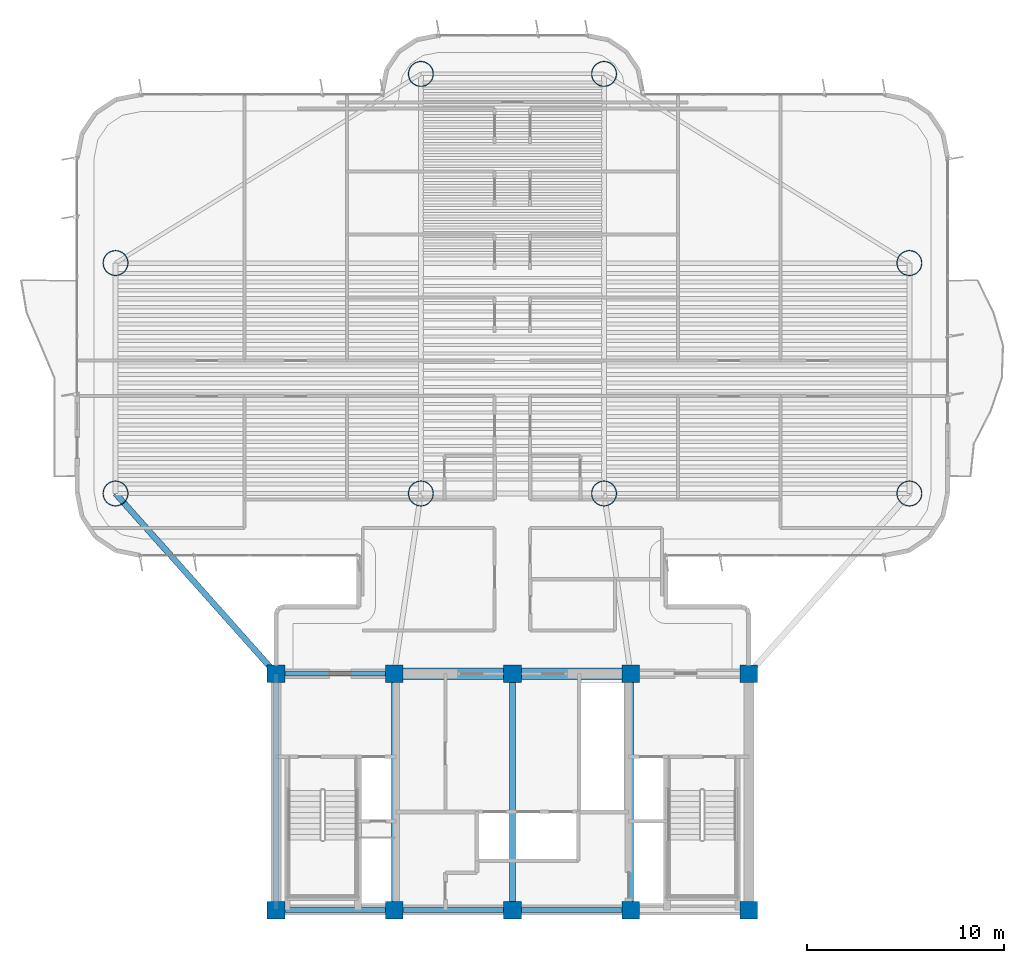
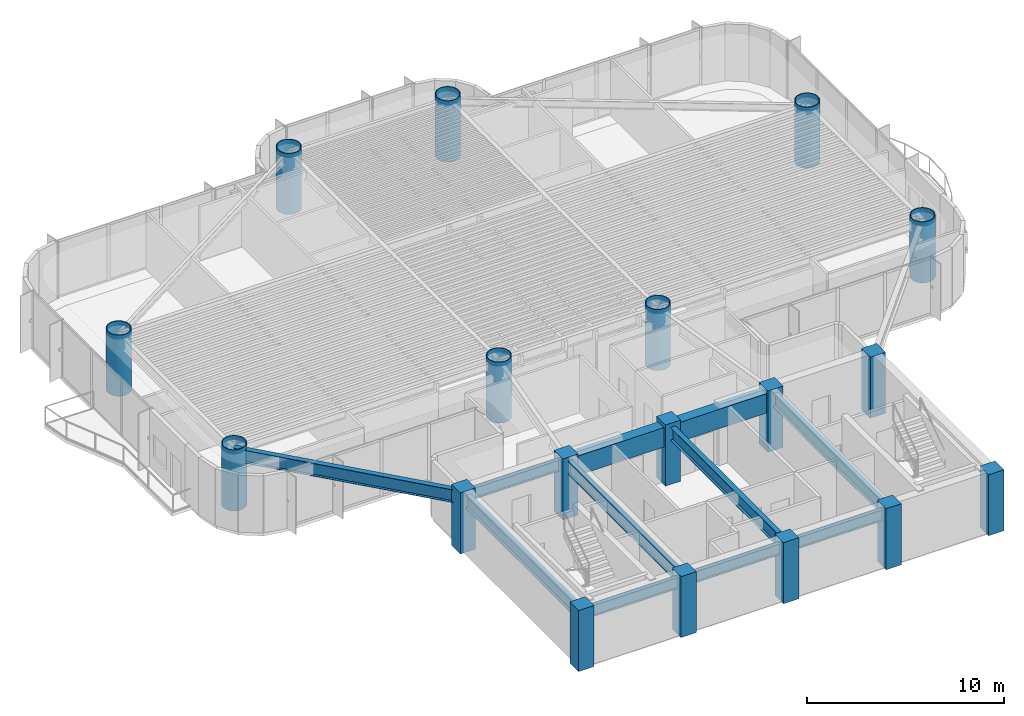
# One storey, part 1 of 16: 18 columns, 10 beams.
"""IFC4 building model written with IfcOpenShell, lengths in metres."""

from ifc_helpers import new_model, si_unit, direction, frame, origin, origin_2d, place, context, subcontext, project, spatial, rectangle, hollow_circle, i_section, extrude, source, transform, mapped, material, material_profile, profile_set, type_object, element, save


model = new_model("IFC4")

# Units and contexts
model_context = context("Model", 3, precision=1e-05, world=origin(), true_north=direction((0.0, 1.0)))
body_context = subcontext(model_context, "Body", "Model", "MODEL_VIEW")
ifc_project = project(units=[si_unit("LENGTHUNIT", "METRE"), si_unit("AREAUNIT", "SQUARE_METRE"), si_unit("VOLUMEUNIT", "CUBIC_METRE"), si_unit("PLANEANGLEUNIT", "RADIAN"), si_unit("MASSUNIT", "GRAM", prefix="KILO")], contexts=[model_context])

# Site, building, storey
site_placement = place(None, origin())
site = spatial("IfcSite", under=ifc_project, at=site_placement, CompositionType="ELEMENT")
building_placement = place(site_placement, origin())
building = spatial("IfcBuilding", under=site, at=building_placement, Name="Brelvock Crest Care Tower", CompositionType="ELEMENT")
storey_placement = place(building_placement, frame((0.0, 0.0, 101.159912109375)))
storey = spatial("IfcBuildingStorey", under=building, at=storey_placement, Name="L25", CompositionType="ELEMENT", Elevation=101.159912109375)

# Columns
ifc_material_1 = material(Name="Concrete S80 (80 MPa)", Category="concrete")
ifc_material_profile_1 = material_profile(ifc_material_1, rectangle(XDim=0.89990234375, YDim=0.89990234375, at=origin_2d()), Name="RC900x900")
ifc_profile_set_1 = profile_set([ifc_material_profile_1], Name="Concrete S80 (80 MPa)")
column_type_1 = type_object("IfcColumnType", Name="COL-RC2", PredefinedType="COLUMN", material=ifc_profile_set_1)
shared_shape_1 = source(origin(), body_context, "Body", "SweptSolid", [
    extrude(rectangle(XDim=0.89990234375, YDim=0.89990234375, at=origin_2d()), origin(), (0.0, 0.0, 1.0), 3.780029296875),
])
for number, where, z_axis, x_axis, name in (
    (1, (24.0, 6.0, 0.0), (0.0, 0.0, 1.0), (1.0, 0.0, 0.0), "L25 Core Column CC-01"),
    (2, (30.0, 6.0, 0.0), (0.0, 0.0, 1.0), (1.0, 0.0, 0.0), "L25 Core Column CC-02"),
    (3, (36.0, 6.0, 0.0), (0.0, 0.0, 1.0), (1.0, 0.0, 0.0), "L25 Core Column CC-03"),
    (4, (42.0, 6.0, 0.0), (0.0, 0.0, 1.0), (1.0, 0.0, 0.0), "L25 Core Column CC-04"),
    (5, (48.0, 6.0, 0.0), (0.0, 0.0, 1.0), (1.0, 0.0, 0.0), "L25 Core Column CC-05"),
    (6, (24.0, 18.0, 0.0), (0.0, 0.0, 1.0), (1.0, 0.0, 0.0), "L25 Core Column CC-06"),
    (7, (30.0, 18.0, 0.0), (0.0, 0.0, 1.0), (1.0, 0.0, 0.0), "L25 Core Column CC-07"),
    (8, (36.0, 18.0, 0.0), (0.0, 0.0, 1.0), (1.0, 0.0, 0.0), "L25 Core Column CC-08"),
    (9, (42.0, 18.0, 0.0), (0.0, 0.0, 1.0), (1.0, 0.0, 0.0), "L25 Core Column CC-09"),
    (10, (48.0, 18.0, 0.0), (0.0, 0.0, 1.0), (1.0, 0.0, 0.0), "L25 Core Column CC-10"),
):
    element("IfcColumn", number, at=place(storey_placement, frame(where, z_axis=z_axis, x_axis=x_axis)), inside=storey, type_object=column_type_1, Name=name, PredefinedType="COLUMN", context=body_context, shape_type="MappedRepresentation", body=[
        mapped(shared_shape_1, transform((0.0, 0.0, 0.0), x_axis=(1.0, 0.0, 0.0), y_axis=(0.0, 1.0, 0.0), z_axis=(0.0, 0.0, 1.0), scale=1.0)),
    ])
ifc_material_2 = material(Name="Steel Grade 350", Category="steel")
ifc_material_profile_2 = material_profile(ifc_material_2, hollow_circle(Radius=0.64990234375, WallThickness=0.044921875, at=origin_2d()), Name="CFT1300x45")
ifc_profile_set_2 = profile_set([ifc_material_profile_2], Name="Steel Grade 350")
column_type_2 = type_object("IfcColumnType", Name="COL-MC2", PredefinedType="COLUMN", material=ifc_profile_set_2)
shared_shape_2 = source(origin(), body_context, "Body", "SweptSolid", [
    extrude(hollow_circle(Radius=0.64990234375, WallThickness=0.044921875, at=origin_2d()), origin(), (0.0, 0.0, 1.0), 3.780029296875),
])
for number, where, z_axis, x_axis, name in (
    (11, (15.85009765625, 27.14990234375, 0.0), (0.0, 0.0, 1.0), (1.0, 0.0, 0.0), "L25 Tower Column M1"),
    (12, (15.85009765625, 38.85009765625, 0.0), (0.0, 0.0, 1.0), (1.0, 0.0, 0.0), "L25 Tower Column M2"),
    (13, (56.14990234375, 27.14990234375, 0.0), (0.0, 0.0, 1.0), (1.0, 0.0, 0.0), "L25 Tower Column M3"),
    (14, (56.14990234375, 38.85009765625, 0.0), (0.0, 0.0, 1.0), (1.0, 0.0, 0.0), "L25 Tower Column M4"),
    (15, (31.35009765625, 27.14990234375, 0.0), (0.0, 0.0, 1.0), (1.0, 0.0, 0.0), "L25 Tower Column M5"),
    (16, (40.64990234375, 27.14990234375, 0.0), (0.0, 0.0, 1.0), (1.0, 0.0, 0.0), "L25 Tower Column M6"),
    (17, (31.35009765625, 48.449951171875, 0.0), (0.0, 0.0, 1.0), (1.0, 0.0, 0.0), "L25 Tower Column M7"),
    (18, (40.64990234375, 48.449951171875, 0.0), (0.0, 0.0, 1.0), (1.0, 0.0, 0.0), "L25 Tower Column M8"),
):
    element("IfcColumn", number, at=place(storey_placement, frame(where, z_axis=z_axis, x_axis=x_axis)), inside=storey, type_object=column_type_2, Name=name, PredefinedType="COLUMN", context=body_context, shape_type="MappedRepresentation", body=[
        mapped(shared_shape_2, transform((0.0, 0.0, 0.0), x_axis=(1.0, 0.0, 0.0), y_axis=(0.0, 1.0, 0.0), z_axis=(0.0, 0.0, 1.0), scale=1.0)),
    ])

# Beams
ifc_material_profile_3 = material_profile(ifc_material_1, rectangle(XDim=0.60009765625, YDim=1.199951171875, at=origin_2d()), Name="RC600x1200")
ifc_profile_set_3 = profile_set([ifc_material_profile_3], Name="Concrete S80 (80 MPa)")
beam_type_1 = type_object("IfcBeamType", Name="BM-LN1", PredefinedType="LINTEL", material=ifc_profile_set_3)
shared_shape_3 = source(origin(), body_context, "Body", "SweptSolid", [
    extrude(rectangle(XDim=0.60009765625, YDim=1.199951171875, at=origin_2d()), origin(), (0.0, 0.0, 1.0), 12.0),
])
beam_1_placement = place(storey_placement, frame((30.0, 18.0, 2.93017578125), z_axis=(1.0, 0.0, 0.0), x_axis=(0.0, 1.0, 0.0)))
element("IfcBeam", 19, at=beam_1_placement, inside=storey, type_object=beam_type_1, Name="L25 Core Coupling Lintel Beam", PredefinedType="LINTEL", context=body_context, shape_type="MappedRepresentation", body=[
    mapped(shared_shape_3, transform((0.0, 0.0, 0.0), x_axis=(1.0, 0.0, 0.0), y_axis=(0.0, 1.0, 0.0), z_axis=(0.0, 0.0, 1.0), scale=1.0)),
])
ifc_material_profile_4 = material_profile(ifc_material_2, i_section(OverallWidth=0.25, OverallDepth=0.699951171875, WebThickness=0.011962890625, FlangeThickness=0.02001953125, at=origin_2d()), Name="700WB150")
ifc_profile_set_4 = profile_set([ifc_material_profile_4], Name="Steel Grade 350")
beam_type_2 = type_object("IfcBeamType", Name="BM-G4", PredefinedType="BEAM", material=ifc_profile_set_4)
shared_shape_4 = source(origin(), body_context, "Body", "SweptSolid", [
    extrude(i_section(OverallWidth=0.25, OverallDepth=0.699951171875, WebThickness=0.011962890625, FlangeThickness=0.02001953125, at=origin_2d()), origin(), (0.0, 0.0, 1.0), 6.0),
])
for number, where, z_axis, x_axis, name in (
    (20, (24.0, 6.0, 3.18017578125), (1.0, 0.0, 0.0), (0.0, 1.0, 0.0), "BM-CORES-L25-1"),
    (21, (24.0, 18.0, 3.18017578125), (1.0, 0.0, 0.0), (0.0, 1.0, 0.0), "BM-COREN-L25-1"),
    (22, (30.0, 6.0, 3.18017578125), (1.0, 0.0, 0.0), (0.0, 1.0, 0.0), "BM-CORES-L25-2"),
    (23, (36.0, 6.0, 3.18017578125), (1.0, 0.0, 0.0), (0.0, 1.0, 0.0), "BM-CORES-L25-3"),
):
    element("IfcBeam", number, at=place(storey_placement, frame(where, z_axis=z_axis, x_axis=x_axis)), inside=storey, type_object=beam_type_2, Name=name, PredefinedType="BEAM", context=body_context, shape_type="MappedRepresentation", body=[
        mapped(shared_shape_4, transform((0.0, 0.0, 0.0), x_axis=(1.0, 0.0, 0.0), y_axis=(0.0, 1.0, 0.0), z_axis=(0.0, 0.0, 1.0), scale=1.0)),
    ])
ifc_material_profile_5 = material_profile(ifc_material_2, i_section(OverallWidth=0.300048828125, OverallDepth=0.800048828125, WebThickness=0.013916015625, FlangeThickness=0.02197265625, at=origin_2d()), Name="800WB192")
ifc_profile_set_5 = profile_set([ifc_material_profile_5], Name="Steel Grade 350")
beam_type_3 = type_object("IfcBeamType", Name="BM-G5", PredefinedType="BEAM", material=ifc_profile_set_5)
shared_shape_5 = source(origin(), body_context, "Body", "SweptSolid", [
    extrude(i_section(OverallWidth=0.300048828125, OverallDepth=0.800048828125, WebThickness=0.013916015625, FlangeThickness=0.02197265625, at=origin_2d()), origin(), (0.0, 0.0, 1.0), 12.0),
])
for number, where, z_axis, x_axis, name in (
    (24, (24.0, 6.0, 3.130126953125), (0.0, 1.0, 0.0), (-1.0, 0.0, 0.0), "BM-COREX-L25-1"),
    (25, (30.0, 6.0, 3.130126953125), (0.0, 1.0, 0.0), (-1.0, 0.0, 0.0), "BM-COREX-L25-2"),
    (26, (36.0, 6.0, 3.130126953125), (0.0, 1.0, 0.0), (-1.0, 0.0, 0.0), "BM-COREX-L25-3"),
    (27, (42.0, 6.0, 3.130126953125), (0.0, 1.0, 0.0), (-1.0, 0.0, 0.0), "BM-COREX-L25-4"),
):
    element("IfcBeam", number, at=place(storey_placement, frame(where, z_axis=z_axis, x_axis=x_axis)), inside=storey, type_object=beam_type_3, Name=name, PredefinedType="BEAM", context=body_context, shape_type="MappedRepresentation", body=[
        mapped(shared_shape_5, transform((0.0, 0.0, 0.0), x_axis=(1.0, 0.0, 0.0), y_axis=(0.0, 1.0, 0.0), z_axis=(0.0, 0.0, 1.0), scale=1.0)),
    ])
shared_shape_6 = source(origin(), body_context, "Body", "SweptSolid", [
    extrude(i_section(OverallWidth=0.300048828125, OverallDepth=0.800048828125, WebThickness=0.013916015625, FlangeThickness=0.02197265625, at=origin_2d()), origin(), (0.0, 0.0, 1.0), 12.253173828125),
])
beam_2_placement = place(storey_placement, frame((24.0, 18.0, 3.130126953125), z_axis=(-0.665122829149, 0.746733970129, 0.0), x_axis=(-0.746733970129, -0.665122829149, 0.0)))
element("IfcBeam", 28, at=beam_2_placement, inside=storey, type_object=beam_type_3, Name="BM-THRO-W-L25", PredefinedType="BEAM", context=body_context, shape_type="MappedRepresentation", body=[
    mapped(shared_shape_6, transform((0.0, 0.0, 0.0), x_axis=(1.0, 0.0, 0.0), y_axis=(0.0, 1.0, 0.0), z_axis=(0.0, 0.0, 1.0), scale=1.0)),
])

save(model, "model.ifc")
